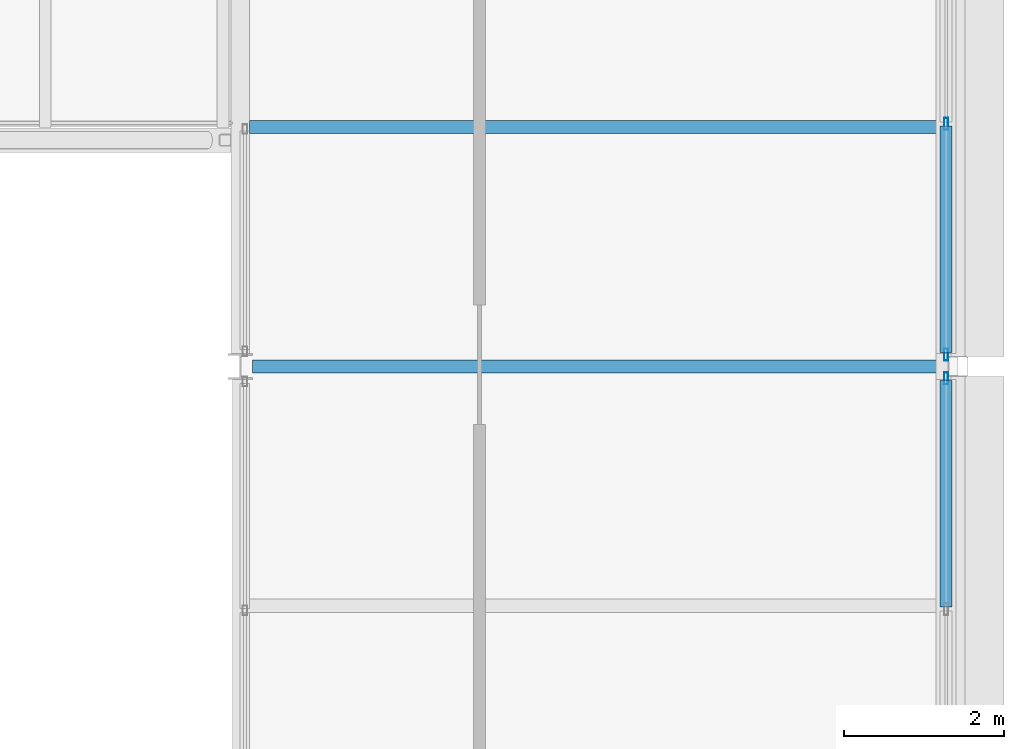
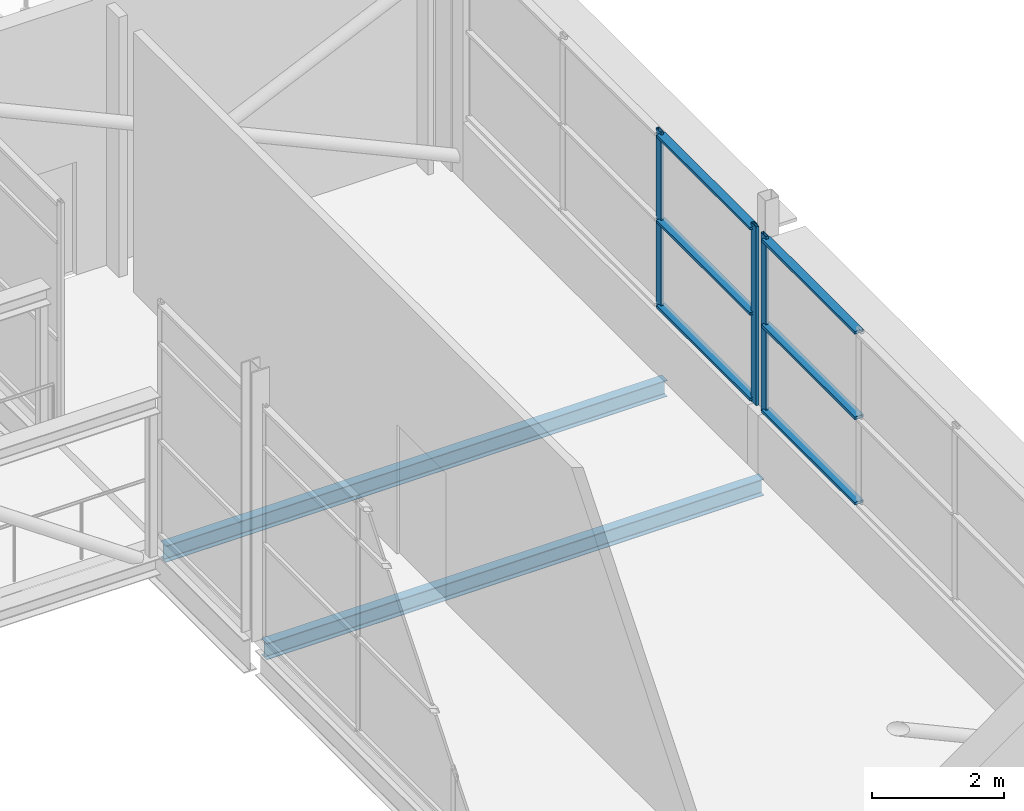
# One storey, part 50 of 94: 9 members, 2 beams, 2 elements without a shape of their own.
"""IFC4 building model written with IfcOpenShell, lengths in metres."""

import ifcopenshell
import ifcopenshell.guid

model = None  # the IFC model being written
_history = None  # IfcOwnerHistory: only IFC2X3 demands one
_inside = {}  # id of a spatial element -> (the spatial element, [elements in it])
_under = {}  # id of a project, library or spatial element -> (it, [spatial elements below it])
_declared = {}  # id of a project -> (the project, [libraries it declares])
_typed = {}  # id of a type object -> (the type object, [elements of that type])
_made_of = {}  # id of a material, layer set ... -> (it, [elements and type objects made of it])


def new_model(schema):
    """Start an empty IFC model of exactly this schema.

    Asked for "IFC4X3", IfcOpenShell would pick the latest addendum, in which some entities
    have other attributes; the version numbers below select the first issue.
    IFC2X3 requires an IfcOwnerHistory on every rooted entity: one is made here for all.
    """
    global model, _history
    if schema == "IFC4X3":
        model = ifcopenshell.file(schema_version=(4, 3, 0, 0))
    else:
        model = ifcopenshell.file(schema=schema)
    _inside.clear()
    _under.clear()
    _declared.clear()
    _typed.clear()
    _made_of.clear()
    _history = None
    if model.schema == "IFC2X3":
        org = make("IfcOrganization", Name="unknown")
        user = make(
            "IfcPersonAndOrganization",
            ThePerson=make("IfcPerson", FamilyName="unknown"),
            TheOrganization=org,
        )
        app = make(
            "IfcApplication",
            ApplicationDeveloper=org,
            Version="unknown",
            ApplicationFullName="unknown",
            ApplicationIdentifier="unknown",
        )
        _history = make(
            "IfcOwnerHistory",
            OwningUser=user,
            OwningApplication=app,
            ChangeAction="ADDED",
            CreationDate=0,
        )
    return model


def make(cls, **values):
    """One entity of the class cls with the attributes given. An attribute that is None is left unset."""
    return model.create_entity(
        cls, **{name: value for name, value in values.items() if value is not None}
    )


def rooted(cls, **values):
    """An entity with a GlobalId (a new one), such as an element, a storey or a relation."""
    return make(cls, GlobalId=ifcopenshell.guid.new(), OwnerHistory=_history, **values)


def si_unit(unit_type, name, prefix=None):
    """IfcSIUnit, for example si_unit("LENGTHUNIT", "METRE", prefix="MILLI")."""
    return make("IfcSIUnit", UnitType=unit_type, Prefix=prefix, Name=name)


def assignment(units):
    """IfcUnitAssignment: the units of a project."""
    return None if units is None else make("IfcUnitAssignment", Units=units)


def point(xyz):
    """IfcCartesianPoint."""
    return None if xyz is None else make("IfcCartesianPoint", Coordinates=xyz)


def direction(xyz):
    """IfcDirection."""
    return None if xyz is None else make("IfcDirection", DirectionRatios=xyz)


def frame(location, z_axis=None, x_axis=None):
    """IfcAxis2Placement3D, a coordinate frame: its origin and axes. An axis left out is left unset."""
    return make(
        "IfcAxis2Placement3D",
        Location=point(location),
        Axis=direction(z_axis),
        RefDirection=direction(x_axis),
    )


def frame_2d(location, x_axis=None):
    """IfcAxis2Placement2D, a coordinate frame in the plane: its origin and x axis."""
    return make(
        "IfcAxis2Placement2D", Location=point(location), RefDirection=direction(x_axis)
    )


def origin():
    """The frame at (0, 0, 0) with its axes left unset."""
    return frame((0.0, 0.0, 0.0))


def origin_2d():
    """The frame at (0, 0) in the plane with its x axis left unset."""
    return frame_2d((0.0, 0.0))


def place(relative_to, where):
    """IfcLocalPlacement: puts the frame where relative to a parent placement (None: the world)."""
    return make(
        "IfcLocalPlacement", PlacementRelTo=relative_to, RelativePlacement=where
    )


def context(
    kind, dimensions, precision=None, world=None, true_north=None, identifier=None
):
    """IfcGeometricRepresentationContext, for example the 3D "Model" context."""
    return make(
        "IfcGeometricRepresentationContext",
        ContextIdentifier=identifier,
        ContextType=kind,
        CoordinateSpaceDimension=dimensions,
        Precision=precision,
        WorldCoordinateSystem=world,
        TrueNorth=true_north,
    )


def subcontext(parent, identifier, kind, view, scale=None):
    """IfcGeometricRepresentationSubContext, for example "Body" below "Model"."""
    return make(
        "IfcGeometricRepresentationSubContext",
        ContextIdentifier=identifier,
        ContextType=kind,
        ParentContext=parent,
        TargetScale=scale,
        TargetView=view,
    )


def project(units=None, contexts=None):
    """IfcProject with its units and contexts."""
    return rooted(
        "IfcProject",
        Name="project",
        RepresentationContexts=contexts,
        UnitsInContext=assignment(units),
    )


def spatial(cls, under=None, at=None, **own):
    """A site, building, storey or space (cls), placed at a placement, below another one or the project."""
    s = rooted(cls, ObjectPlacement=at, **own)
    if under is not None:
        _under.setdefault(under.id(), (under, []))[1].append(s)
    return s


def profile(cls, at=None, kind="AREA", **sizes):
    """A parametric profile (cls). Its sizes go by their IFC names, for example OverallWidth=200.0."""
    return make(cls, ProfileType=kind, Position=at, **sizes)


def hollow_rectangle(**sizes):
    """IfcRectangleHollowProfileDef."""
    return profile("IfcRectangleHollowProfileDef", **sizes)


def i_section(**sizes):
    """IfcIShapeProfileDef."""
    return profile("IfcIShapeProfileDef", **sizes)


def extrude(swept, where, along, depth):
    """IfcExtrudedAreaSolid: the profile swept, set in the frame where, extruded along a direction by depth."""
    return make(
        "IfcExtrudedAreaSolid",
        SweptArea=swept,
        Position=where,
        ExtrudedDirection=direction(along),
        Depth=depth,
    )


def shape(context_of_items, identifier, shape_type, items):
    """IfcShapeRepresentation: the items that make up one representation, for example the "Body"."""
    return make(
        "IfcShapeRepresentation",
        ContextOfItems=context_of_items,
        RepresentationIdentifier=identifier,
        RepresentationType=shape_type,
        Items=items,
    )


def material(Name=None, Category=None):
    """IfcMaterial."""
    return make("IfcMaterial", Name=Name, Category=Category)


def layer(
    of_material, thickness, ventilated=None, Name=None, Category=None, Priority=None
):
    """IfcMaterialLayer: one layer of a wall or slab, of a material (None: an air gap)."""
    return make(
        "IfcMaterialLayer",
        Material=of_material,
        LayerThickness=thickness,
        IsVentilated=ventilated,
        Name=Name,
        Category=Category,
        Priority=Priority,
    )


def layer_set(layers, Name=None):
    """IfcMaterialLayerSet."""
    return make("IfcMaterialLayerSet", MaterialLayers=layers, LayerSetName=Name)


def material_profile(
    of_material, cross_section, Name=None, Category=None, Priority=None
):
    """IfcMaterialProfile: a cross section and its material."""
    return make(
        "IfcMaterialProfile",
        Name=Name,
        Material=of_material,
        Profile=cross_section,
        Priority=Priority,
        Category=Category,
    )


def profile_set(profiles, Name=None, composite=None):
    """IfcMaterialProfileSet."""
    return make(
        "IfcMaterialProfileSet",
        Name=Name,
        MaterialProfiles=profiles,
        CompositeProfile=composite,
    )


def made_of(thing, what):
    """Note that an element or type object is made of a material, layer set ...; save() writes the relation."""
    if what is not None:
        _made_of.setdefault(what.id(), (what, []))[1].append(thing)
    return thing


def type_object(cls, material=None, **own):
    """A type object (cls), such as IfcWallType, which elements share."""
    return made_of(rooted(cls, **own), material)


def element(
    cls,
    number,
    at=None,
    inside=None,
    cuts=None,
    type_object=None,
    material=None,
    context=None,
    identifier="Body",
    shape_type=None,
    held_by="IfcProductDefinitionShape",
    body=None,
    shapes=None,
    **own,
):
    """One element of the class cls, such as IfcWall. Its Tag is "e" and its number.

    at: its placement. inside: the storey or other place that contains it. cuts: it is an
    opening in that element (IfcRelVoidsElement). A single representation is given by context,
    identifier, shape_type and body (its items); several are given by shapes. held_by: the class
    of the entity that holds the representations. save() writes the other relations.
    """
    e = rooted(cls, Tag="e%d" % number, ObjectPlacement=at, **own)
    if body is not None:
        shapes = [shape(context, identifier, shape_type, body)]
    if shapes is not None:
        e.Representation = make(held_by, Representations=shapes)
    if inside is not None:
        _inside.setdefault(inside.id(), (inside, []))[1].append(e)
    if cuts is not None:
        rooted(
            "IfcRelVoidsElement", RelatingBuildingElement=cuts, RelatedOpeningElement=e
        )
    if type_object is not None:
        _typed.setdefault(type_object.id(), (type_object, []))[1].append(e)
    return made_of(e, material)


def aggregate(whole, parts):
    """IfcRelAggregates: a whole, such as a stair, and the parts it consists of."""
    return rooted("IfcRelAggregates", RelatingObject=whole, RelatedObjects=parts)


def save(model, path):
    """Write the relations noted so far, then the file.

    IfcRelAggregates (storeys below a building ...), IfcRelContainedInSpatialStructure (elements
    in a storey), IfcRelDefinesByType, IfcRelAssociatesMaterial and IfcRelDeclares: one each for
    every whole, place, type object, material and project.
    """
    for whole, parts in _under.values():
        aggregate(whole, parts)
    for where, things in _inside.values():
        rooted(
            "IfcRelContainedInSpatialStructure",
            RelatedElements=things,
            RelatingStructure=where,
        )
    for kind, things in _typed.values():
        rooted("IfcRelDefinesByType", RelatedObjects=things, RelatingType=kind)
    for what, things in _made_of.values():
        rooted("IfcRelAssociatesMaterial", RelatedObjects=things, RelatingMaterial=what)
    for by, libraries in _declared.values():
        rooted("IfcRelDeclares", RelatingContext=by, RelatedDefinitions=libraries)
    model.write(path)


model = new_model("IFC4")

# Units and contexts
model_context = context("Model", 3, precision=1e-05, world=origin(), true_north=direction((0.0, 1.0)))
body_context = subcontext(model_context, "Body", "Model", "MODEL_VIEW")
ifc_project = project(units=[si_unit("LENGTHUNIT", "METRE"), si_unit("AREAUNIT", "SQUARE_METRE"), si_unit("VOLUMEUNIT", "CUBIC_METRE"), si_unit("PLANEANGLEUNIT", "RADIAN"), si_unit("MASSUNIT", "GRAM", prefix="KILO")], contexts=[model_context])

# Site, building, storey
site_placement = place(None, origin())
site = spatial("IfcSite", under=ifc_project, at=site_placement, CompositionType="ELEMENT")
building_placement = place(site_placement, origin())
building = spatial("IfcBuilding", under=site, at=building_placement, Name="Shorebreak Coast Museum", CompositionType="ELEMENT")
storey_placement = place(building_placement, frame((0.0, 0.0, 31.0)))
storey = spatial("IfcBuildingStorey", under=building, at=storey_placement, Name="L05", CompositionType="ELEMENT", Elevation=31.0)

# Beams
ifc_material_1 = material(Name="Steel Grade 300", Category="steel")
ifc_material_profile_1 = material_profile(ifc_material_1, i_section(OverallWidth=0.166015625, OverallDepth=0.30712890625, WebThickness=0.006591796875, FlangeThickness=0.01171875, FilletRadius=0.011474609375, at=origin_2d()), Name="310UB46.2")
ifc_profile_set_1 = profile_set([ifc_material_profile_1], Name="Steel Grade 300")
beam_type_1 = type_object("IfcBeamType", Name="Floor girder east-west 310UB46.2", PredefinedType="BEAM", material=ifc_profile_set_1)
beam_1_placement = place(storey_placement, frame((108.153564453125, 72.0, -0.32861328125), z_axis=(1.0, 0.0, 0.0), x_axis=(0.0, 1.0, 0.0)))
element("IfcBeam", 1, at=beam_1_placement, inside=storey, type_object=beam_type_1, Name="Floor girder east-west L05 13J", PredefinedType="BEAM", context=body_context, shape_type="SweptSolid", body=[
    extrude(i_section(OverallWidth=0.166015625, OverallDepth=0.30712890625, WebThickness=0.006591796875, FlangeThickness=0.01171875, FilletRadius=0.011474609375, at=origin_2d()), origin(), (0.0, 0.0, 1.0), 8.721435546875),
])
ifc_material_2 = material(Name="Steel Grade 300", Category="steel")
ifc_material_profile_2 = material_profile(ifc_material_2, i_section(OverallWidth=0.1650390625, OverallDepth=0.303955078125, WebThickness=0.006103515625, FlangeThickness=0.01025390625, FilletRadius=0.011474609375, at=origin_2d()), Name="310UB40.4")
ifc_profile_set_2 = profile_set([ifc_material_profile_2], Name="Steel Grade 300")
beam_type_2 = type_object("IfcBeamType", Name="Floor joist 310UB40.4", PredefinedType="JOIST", material=ifc_profile_set_2)
beam_2_placement = place(storey_placement, frame((108.114501953125, 75.0, -0.326904296875), z_axis=(1.0, 0.0, 0.0), x_axis=(0.0, 1.0, 0.0)))
element("IfcBeam", 2, at=beam_2_placement, inside=storey, type_object=beam_type_2, Name="Floor joist L05 bay 13J at 3000 mm", PredefinedType="JOIST", context=body_context, shape_type="SweptSolid", body=[
    extrude(i_section(OverallWidth=0.1650390625, OverallDepth=0.303955078125, WebThickness=0.006103515625, FlangeThickness=0.01025390625, FilletRadius=0.011474609375, at=origin_2d()), origin(), (0.0, 0.0, 1.0), 8.79638671875),
])

# Curtain wall, member
ifc_material_3 = material(Name="Aluminium", Category="aluminium")
ifc_layer = layer(ifc_material_3, 0.14990234375)
ifc_layer_set = layer_set([ifc_layer], Name="Aluminium")
curtain_wall_type = type_object("IfcCurtainWallType", Name="Storefront curtain wall", PredefinedType="NOTDEFINED", material=ifc_layer_set)
curtain_wall_1_placement = place(storey_placement, origin())
curtain_wall_1 = element("IfcCurtainWall", 3, at=curtain_wall_1_placement, inside=storey, type_object=curtain_wall_type, Name="Atrium Hall glazing L05 E 11", PredefinedType="NOTDEFINED")
ifc_material_4 = material(Name="Aluminium", Category="aluminium")
ifc_material_profile_3 = material_profile(ifc_material_4, hollow_rectangle(XDim=0.050048828125, YDim=0.14990234375, WallThickness=0.00390625, at=origin_2d()), Name="AL 150x50 RHS")
ifc_profile_set_3 = profile_set([ifc_material_profile_3], Name="Aluminium")
member_type_1 = type_object("IfcMemberType", Name="Storefront mullion 50 x 150", PredefinedType="MULLION", material=ifc_profile_set_3)
member_1_placement = place(storey_placement, frame((116.85009765625, 71.85009765625, 1.10009765625), z_axis=(0.0, 0.0, 1.0), x_axis=(-1.0, 0.0, 0.0)))
member_1 = element("IfcMember", 4, at=member_1_placement, type_object=member_type_1, Name="CW5 mullion 4", PredefinedType="MULLION", context=body_context, shape_type="SweptSolid", body=[
    extrude(hollow_rectangle(XDim=0.050048828125, YDim=0.14990234375, WallThickness=0.00390625, at=origin_2d()), origin(), (0.0, 0.0, 1.0), 3.318603515625),
])

# Curtain wall, members
curtain_wall_2_placement = place(storey_placement, origin())
curtain_wall_2 = element("IfcCurtainWall", 5, at=curtain_wall_2_placement, inside=storey, type_object=curtain_wall_type, Name="Atrium Hall glazing L05 E 12", PredefinedType="NOTDEFINED")
member_2_placement = place(storey_placement, frame((116.85009765625, 72.14990234375, 1.10009765625), z_axis=(0.0, 0.0, 1.0), x_axis=(-1.0, 0.0, 0.0)))
member_2 = element("IfcMember", 6, at=member_2_placement, type_object=member_type_1, Name="CW5 mullion 1", PredefinedType="MULLION", context=body_context, shape_type="SweptSolid", body=[
    extrude(hollow_rectangle(XDim=0.050048828125, YDim=0.14990234375, WallThickness=0.00390625, at=origin_2d()), origin(), (0.0, 0.0, 1.0), 3.318603515625),
])
member_3_placement = place(storey_placement, frame((116.85009765625, 75.041748046875, 1.10009765625), z_axis=(0.0, 0.0, 1.0), x_axis=(-1.0, 0.0, 0.0)))
member_3 = element("IfcMember", 7, at=member_3_placement, type_object=member_type_1, Name="CW5 mullion 2", PredefinedType="MULLION", context=body_context, shape_type="SweptSolid", body=[
    extrude(hollow_rectangle(XDim=0.050048828125, YDim=0.14990234375, WallThickness=0.00390625, at=origin_2d()), origin(), (0.0, 0.0, 1.0), 3.318603515625),
])

# Member
ifc_material_5 = material(Name="Aluminium", Category="aluminium")
ifc_material_profile_4 = material_profile(ifc_material_5, hollow_rectangle(XDim=0.14990234375, YDim=0.050048828125, WallThickness=0.00390625, at=origin_2d()), Name="AL 50x150 RHS")
ifc_profile_set_4 = profile_set([ifc_material_profile_4], Name="Aluminium")
member_type_2 = type_object("IfcMemberType", Name="Storefront transom 150 x 50", PredefinedType="USERDEFINED", material=ifc_profile_set_4)
member_4_placement = place(storey_placement, frame((116.85009765625, 68.9833984375, 1.175048828125), z_axis=(0.0, 1.0, 0.0), x_axis=(-1.0, 0.0, 0.0)))
member_4 = element("IfcMember", 8, at=member_4_placement, type_object=member_type_2, Name="CW5 transom 3.1", ObjectType="TRANSOM", PredefinedType="USERDEFINED", context=body_context, shape_type="SweptSolid", body=[
    extrude(hollow_rectangle(XDim=0.14990234375, YDim=0.050048828125, WallThickness=0.00390625, at=origin_2d()), origin(), (0.0, 0.0, 1.0), 2.841552734375),
])

member_5_placement = place(storey_placement, frame((116.85009765625, 68.9833984375, 2.75927734375), z_axis=(0.0, 1.0, 0.0), x_axis=(-1.0, 0.0, 0.0)))
member_5 = element("IfcMember", 9, at=member_5_placement, type_object=member_type_2, Name="CW5 transom 3.2", ObjectType="TRANSOM", PredefinedType="USERDEFINED", context=body_context, shape_type="SweptSolid", body=[
    extrude(hollow_rectangle(XDim=0.14990234375, YDim=0.050048828125, WallThickness=0.00390625, at=origin_2d()), origin(), (0.0, 0.0, 1.0), 2.841552734375),
])

member_6_placement = place(storey_placement, frame((116.85009765625, 68.9833984375, 4.343505859375), z_axis=(0.0, 1.0, 0.0), x_axis=(-1.0, 0.0, 0.0)))
member_6 = element("IfcMember", 10, at=member_6_placement, type_object=member_type_2, Name="CW5 transom 3.3", ObjectType="TRANSOM", PredefinedType="USERDEFINED", context=body_context, shape_type="SweptSolid", body=[
    extrude(hollow_rectangle(XDim=0.14990234375, YDim=0.050048828125, WallThickness=0.00390625, at=origin_2d()), origin(), (0.0, 0.0, 1.0), 2.841552734375),
])

aggregate(curtain_wall_1, [member_1, member_4, member_5, member_6])

member_7_placement = place(storey_placement, frame((116.85009765625, 72.175048828125, 1.175048828125), z_axis=(0.0, 1.0, 0.0), x_axis=(-1.0, 0.0, 0.0)))
member_7 = element("IfcMember", 11, at=member_7_placement, type_object=member_type_2, Name="CW5 transom 1.1", ObjectType="TRANSOM", PredefinedType="USERDEFINED", context=body_context, shape_type="SweptSolid", body=[
    extrude(hollow_rectangle(XDim=0.14990234375, YDim=0.050048828125, WallThickness=0.00390625, at=origin_2d()), origin(), (0.0, 0.0, 1.0), 2.841552734375),
])

member_8_placement = place(storey_placement, frame((116.85009765625, 72.175048828125, 2.75927734375), z_axis=(0.0, 1.0, 0.0), x_axis=(-1.0, 0.0, 0.0)))
member_8 = element("IfcMember", 12, at=member_8_placement, type_object=member_type_2, Name="CW5 transom 1.2", ObjectType="TRANSOM", PredefinedType="USERDEFINED", context=body_context, shape_type="SweptSolid", body=[
    extrude(hollow_rectangle(XDim=0.14990234375, YDim=0.050048828125, WallThickness=0.00390625, at=origin_2d()), origin(), (0.0, 0.0, 1.0), 2.841552734375),
])

member_9_placement = place(storey_placement, frame((116.85009765625, 72.175048828125, 4.343505859375), z_axis=(0.0, 1.0, 0.0), x_axis=(-1.0, 0.0, 0.0)))
member_9 = element("IfcMember", 13, at=member_9_placement, type_object=member_type_2, Name="CW5 transom 1.3", ObjectType="TRANSOM", PredefinedType="USERDEFINED", context=body_context, shape_type="SweptSolid", body=[
    extrude(hollow_rectangle(XDim=0.14990234375, YDim=0.050048828125, WallThickness=0.00390625, at=origin_2d()), origin(), (0.0, 0.0, 1.0), 2.841552734375),
])

aggregate(curtain_wall_2, [member_2, member_3, member_7, member_8, member_9])

save(model, "model.ifc")
